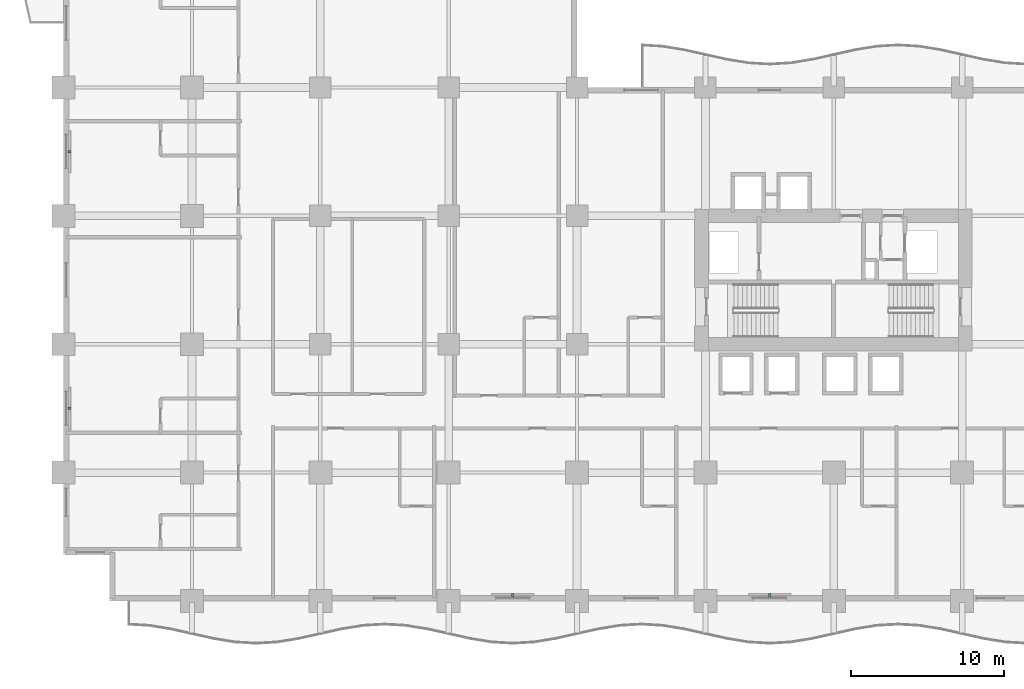
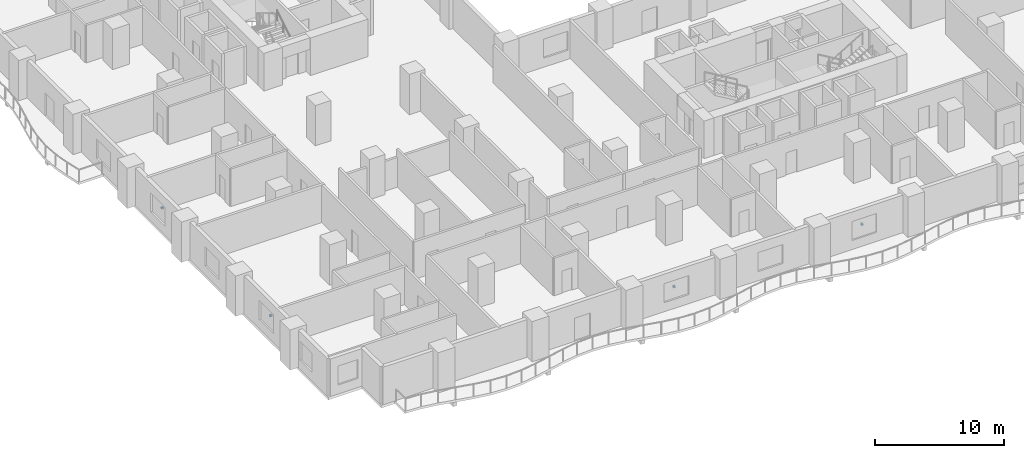
# One storey, part 21 of 27: 4 discrete accessories.
"""IFC4 building model written with IfcOpenShell, lengths in metres."""

from ifc_helpers import new_model, si_unit, direction, frame, origin, origin_2d, place, context, subcontext, project, spatial, rectangle, extrude, material, type_object, element, save


model = new_model("IFC4")

# Units and contexts
model_context = context("Model", 3, precision=1e-05, world=origin(), true_north=direction((0.0, 1.0)))
body_context = subcontext(model_context, "Body", "Model", "MODEL_VIEW")
ifc_project = project(units=[si_unit("LENGTHUNIT", "METRE"), si_unit("AREAUNIT", "SQUARE_METRE"), si_unit("VOLUMEUNIT", "CUBIC_METRE"), si_unit("PLANEANGLEUNIT", "RADIAN"), si_unit("MASSUNIT", "GRAM", prefix="KILO")], contexts=[model_context])

# Site, building, storey
site_placement = place(None, origin())
site = spatial("IfcSite", under=ifc_project, at=site_placement, CompositionType="ELEMENT")
building_placement = place(site_placement, origin())
building = spatial("IfcBuilding", under=site, at=building_placement, Name="Koriwani Terraces Tower", CompositionType="ELEMENT")
storey_placement = place(building_placement, frame((0.0, 0.0, 70.0)))
storey = spatial("IfcBuildingStorey", under=building, at=storey_placement, Name="L16", CompositionType="ELEMENT", Elevation=70.0)

# Discrete accessories
ifc_material = material(Name="Steel ASTM A572 Grade 50", Category="steel")
discrete_accessory_type = type_object("IfcDiscreteAccessoryType", Name="BAGUETTE_STANDOFF_BRACKET", PredefinedType="BRACKET", material=ifc_material)
for number, where, z_axis, x_axis, name in (
    (1, (0.389892578125, 12.60009765625, 1.68505859375), (0.0, 0.0, 1.0), (0.0, 1.0, 0.0), "L16 Terracotta Baguette Bracket (W-3)"),
    (2, (0.389892578125, 29.39990234375, 1.68505859375), (0.0, 0.0, 1.0), (0.0, 1.0, 0.0), "L16 Terracotta Baguette Bracket (W-9)"),
    (3, (29.39990234375, 0.389892578125, 1.68505859375), (0.0, 0.0, 1.0), (-1.0, 0.0, 0.0), "L16 Terracotta Baguette Bracket (S-9)"),
    (4, (46.199951171875, 0.389892578125, 1.68505859375), (0.0, 0.0, 1.0), (-1.0, 0.0, 0.0), "L16 Terracotta Baguette Bracket (S-15)"),
):
    element("IfcDiscreteAccessory", number, at=place(storey_placement, frame(where, z_axis=z_axis, x_axis=x_axis)), inside=storey, type_object=discrete_accessory_type, Name=name, PredefinedType="BRACKET", context=body_context, shape_type="SweptSolid", body=[
        extrude(rectangle(XDim=0.159912109375, YDim=0.199951171875, at=origin_2d()), origin(), (0.0, 0.0, 1.0), 0.179931640625),
    ])

save(model, "model.ifc")
